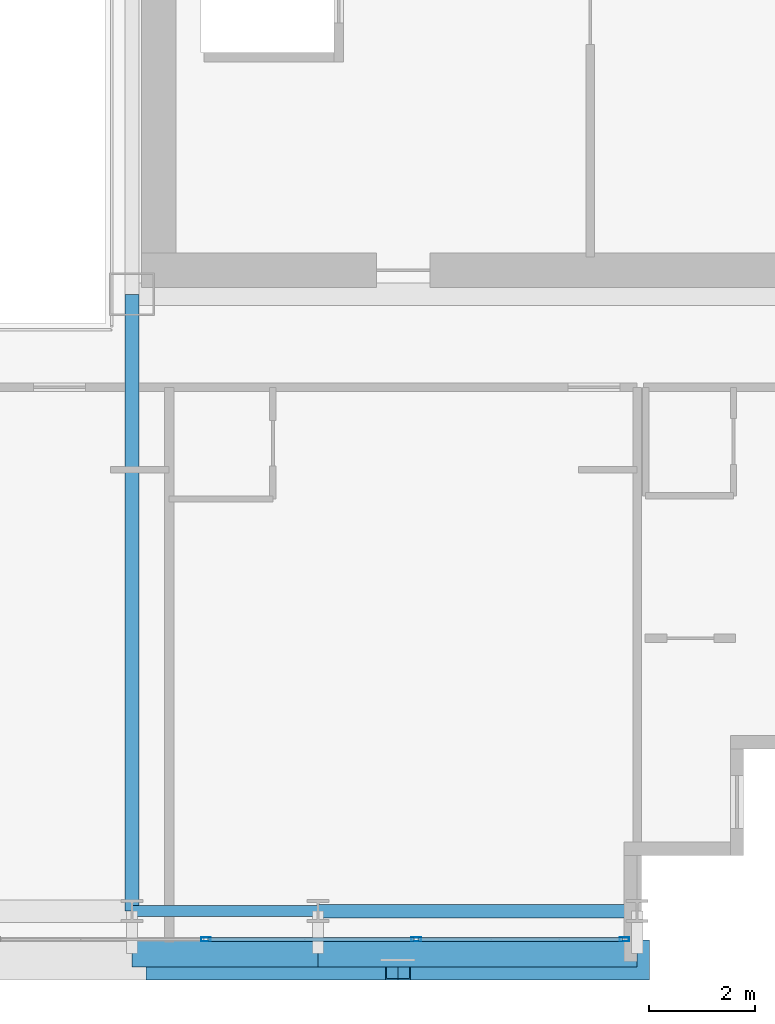
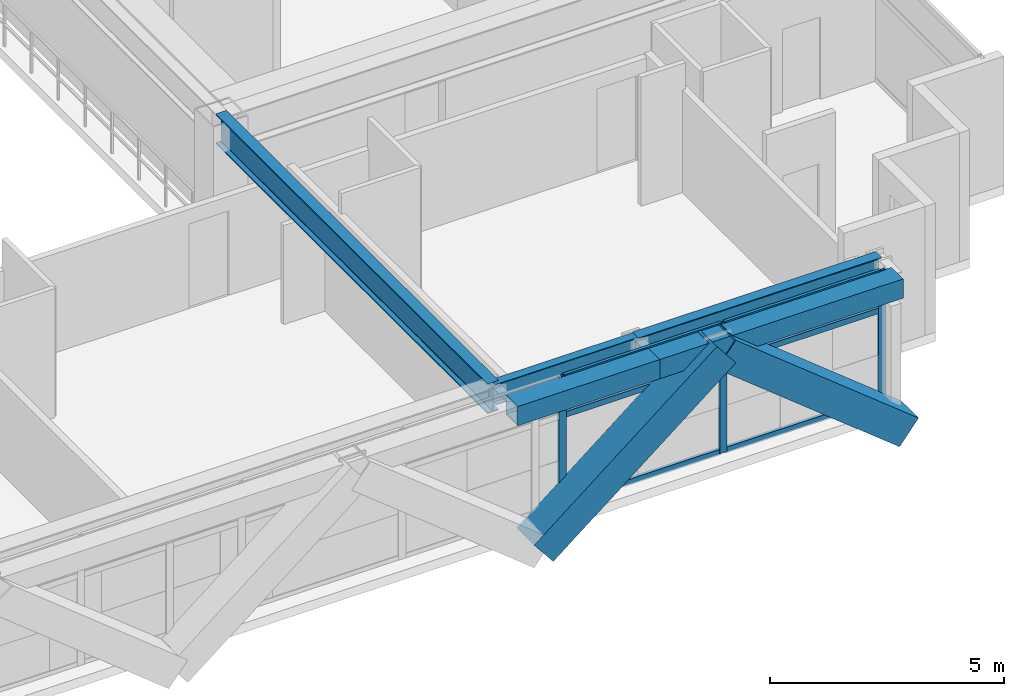
# One storey, part 10 of 34: 11 members, 5 beams, 1 element without a shape of its own.
"""IFC4 building model written with IfcOpenShell, lengths in metres."""

from ifc_helpers import new_model, si_unit, direction, frame, origin, origin_2d, place, context, subcontext, project, spatial, hollow_rectangle, i_section, extrude, source, transform, mapped, material, layer, layer_set, material_profile, profile_set, type_object, element, aggregate, save


model = new_model("IFC4")

# Units and contexts
model_context = context("Model", 3, precision=1e-05, world=origin(), true_north=direction((0.0, 1.0)))
body_context = subcontext(model_context, "Body", "Model", "MODEL_VIEW")
ifc_project = project(units=[si_unit("LENGTHUNIT", "METRE"), si_unit("AREAUNIT", "SQUARE_METRE"), si_unit("VOLUMEUNIT", "CUBIC_METRE"), si_unit("PLANEANGLEUNIT", "RADIAN"), si_unit("MASSUNIT", "GRAM", prefix="KILO")], contexts=[model_context])

# Site, building, storey
site_placement = place(None, origin())
site = spatial("IfcSite", under=ifc_project, at=site_placement, CompositionType="ELEMENT")
building_placement = place(site_placement, origin())
building = spatial("IfcBuilding", under=site, at=building_placement, Name="Ocotamira Hotel", CompositionType="ELEMENT")
storey_placement = place(building_placement, frame((0.0, 0.0, 111.60009765625)))
storey = spatial("IfcBuildingStorey", under=building, at=storey_placement, Name="L27", CompositionType="ELEMENT", Elevation=111.60009765625)

# Beams
ifc_material_1 = material(Name="Steel ASTM A992 Grade 50", Category="steel")
ifc_material_profile_1 = material_profile(ifc_material_1, i_section(OverallWidth=0.256103515625, OverallDepth=0.693115234375, WebThickness=0.014404296875, FlangeThickness=0.023681640625, FilletRadius=0.01611328125, at=origin_2d()), Name="W27X114")
ifc_profile_set_1 = profile_set([ifc_material_profile_1], Name="Steel ASTM A992 Grade 50")
beam_type_1 = type_object("IfcBeamType", Name="BM-PRIM-W27X114", PredefinedType="BEAM", material=ifc_profile_set_1)
shared_shape_1 = source(origin(), body_context, "Body", "SweptSolid", [
    extrude(i_section(OverallWidth=0.256103515625, OverallDepth=0.693115234375, WebThickness=0.014404296875, FlangeThickness=0.023681640625, FilletRadius=0.01611328125, at=origin_2d()), origin(), (0.0, 0.0, 1.0), 6.0),
])
beam_1_placement = place(storey_placement, frame((44.0, 2.949951171875, 3.013427734375), z_axis=(1.0, 0.0, 0.0), x_axis=(0.0, 1.0, 0.0)))
element("IfcBeam", 1, at=beam_1_placement, inside=storey, type_object=beam_type_1, Name="L27 Girder Y2.95 X44-50", PredefinedType="BEAM", context=body_context, shape_type="MappedRepresentation", body=[
    mapped(shared_shape_1, transform((0.0, 0.0, 0.0), scale=1.0)),
])
ifc_material_profile_2 = material_profile(ifc_material_1, i_section(OverallWidth=0.2099609375, OverallDepth=0.537109375, WebThickness=0.010986328125, FlangeThickness=0.017333984375, FilletRadius=0.012939453125, at=origin_2d()), Name="W21X68")
ifc_profile_set_2 = profile_set([ifc_material_profile_2], Name="Steel ASTM A992 Grade 50")
beam_type_2 = type_object("IfcBeamType", Name="BM-SEC-W21X68", PredefinedType="JOIST", material=ifc_profile_set_2)
shared_shape_2 = source(origin(), body_context, "Body", "SweptSolid", [
    extrude(i_section(OverallWidth=0.2099609375, OverallDepth=0.537109375, WebThickness=0.010986328125, FlangeThickness=0.017333984375, FilletRadius=0.012939453125, at=origin_2d()), origin(), (0.0, 0.0, 1.0), 3.5),
])
beam_2_placement = place(storey_placement, frame((40.5, 2.949951171875, 3.09130859375), z_axis=(1.0, 0.0, 0.0), x_axis=(0.0, 1.0, 0.0)))
element("IfcBeam", 2, at=beam_2_placement, inside=storey, type_object=beam_type_2, Name="L27 Girder Y2.95 X40.5-44", PredefinedType="JOIST", context=body_context, shape_type="MappedRepresentation", body=[
    mapped(shared_shape_2, transform((0.0, 0.0, 0.0), scale=1.0)),
])
ifc_material_profile_3 = material_profile(ifc_material_1, i_section(OverallWidth=0.26611328125, OverallDepth=0.779052734375, WebThickness=0.0166015625, FlangeThickness=0.030029296875, FilletRadius=0.01806640625, at=origin_2d()), Name="W30X148")
ifc_profile_set_3 = profile_set([ifc_material_profile_3], Name="Steel ASTM A992 Grade 50")
beam_type_3 = type_object("IfcBeamType", Name="BM-GIRD-W30X148", PredefinedType="BEAM", material=ifc_profile_set_3)
shared_shape_3 = source(origin(), body_context, "Body", "SweptSolid", [
    extrude(i_section(OverallWidth=0.26611328125, OverallDepth=0.779052734375, WebThickness=0.0166015625, FlangeThickness=0.030029296875, FilletRadius=0.01806640625, at=origin_2d()), origin(), (0.0, 0.0, 1.0), 11.60009765625),
])
beam_3_placement = place(storey_placement, frame((40.5, 2.949951171875, 2.970458984375), z_axis=(0.0, 1.0, 0.0), x_axis=(-1.0, 0.0, 0.0)))
element("IfcBeam", 3, at=beam_3_placement, inside=storey, type_object=beam_type_3, Name="L27 Beam X40.5 Y2.95-14.55", PredefinedType="BEAM", context=body_context, shape_type="MappedRepresentation", body=[
    mapped(shared_shape_3, transform((0.0, 0.0, 0.0), scale=1.0)),
])
ifc_material_2 = material(Name="Steel ASTM A500 Grade C", Category="steel")
ifc_material_profile_4 = material_profile(ifc_material_2, hollow_rectangle(XDim=0.5, YDim=0.5, WallThickness=0.02001953125, at=origin_2d()), Name="HSS500X500X20")
ifc_profile_set_4 = profile_set([ifc_material_profile_4], Name="Steel ASTM A500 Grade C")
beam_type_4 = type_object("IfcBeamType", Name="BM-SPAN-HSS500", PredefinedType="USERDEFINED", material=ifc_profile_set_4)
shared_shape_4 = source(origin(), body_context, "Body", "SweptSolid", [
    extrude(hollow_rectangle(XDim=0.5, YDim=0.5, WallThickness=0.02001953125, at=origin_2d()), origin(), (0.0, 0.0, 1.0), 6.0),
])
beam_4_placement = place(storey_placement, frame((44.0, 2.14990234375, 3.10986328125), z_axis=(1.0, 0.0, 0.0), x_axis=(0.0, 1.0, 0.0)))
element("IfcBeam", 4, at=beam_4_placement, inside=storey, type_object=beam_type_4, Name="L27 Edge Spandrel S X44-50", ObjectType="SPANDREL", PredefinedType="USERDEFINED", context=body_context, shape_type="MappedRepresentation", body=[
    mapped(shared_shape_4, transform((0.0, 0.0, 0.0), scale=1.0)),
])
shared_shape_5 = source(origin(), body_context, "Body", "SweptSolid", [
    extrude(hollow_rectangle(XDim=0.5, YDim=0.5, WallThickness=0.02001953125, at=origin_2d()), origin(), (0.0, 0.0, 1.0), 3.5),
])
beam_5_placement = place(storey_placement, frame((40.5, 2.14990234375, 3.10986328125), z_axis=(1.0, 0.0, 0.0), x_axis=(0.0, 1.0, 0.0)))
element("IfcBeam", 5, at=beam_5_placement, inside=storey, type_object=beam_type_4, Name="L27 Edge Spandrel S X40.5-44", ObjectType="SPANDREL", PredefinedType="USERDEFINED", context=body_context, shape_type="MappedRepresentation", body=[
    mapped(shared_shape_5, transform((0.0, 0.0, 0.0), scale=1.0)),
])

# Members
ifc_material_3 = material(Name="Pale-metal coated steel ASTM A913 Grade 65", Category="steel")
ifc_material_profile_5 = material_profile(ifc_material_3, hollow_rectangle(XDim=0.75, YDim=0.75, WallThickness=0.028076171875, at=origin_2d()), Name="BOX750X750X28")
ifc_profile_set_5 = profile_set([ifc_material_profile_5], Name="Pale-metal coated steel ASTM A913 Grade 65")
member_type_1 = type_object("IfcMemberType", Name="MEM-EXO-BOX750", PredefinedType="BRACE", material=ifc_profile_set_5)
shared_shape_6 = source(origin(), body_context, "Body", "SweptSolid", [
    extrude(hollow_rectangle(XDim=0.75, YDim=0.75, WallThickness=0.028076171875, at=origin_2d()), origin(), (0.0, 0.0, 1.0), 5.7626953125),
])
for number, where, z_axis, x_axis, name in (
    (6, (41.0, 2.030029296875, -0.489990234375), (0.780881208953, 0.0, 0.624679547852), (0.0, 1.0, 0.0), "L27 Exoskeleton Diagrid S3.1"),
    (7, (50.0, 2.030029296875, -0.489990234375), (-0.780881208953, 0.0, 0.624679547852), (0.0, -1.0, 0.0), "L27 Exoskeleton Diagrid S3.2"),
):
    element("IfcMember", number, at=place(storey_placement, frame(where, z_axis=z_axis, x_axis=x_axis)), inside=storey, type_object=member_type_1, Name=name, PredefinedType="BRACE", context=body_context, shape_type="MappedRepresentation", body=[
        mapped(shared_shape_6, transform((0.0, 0.0, 0.0), scale=1.0)),
    ])

# Curtain wall, members
ifc_material_4 = material(Name="Anodised pale-metal aluminium and solar glass", Category="aluminium")
ifc_layer = layer(ifc_material_4, 0.179931640625)
ifc_layer_set = layer_set([ifc_layer], Name="Anodised pale-metal aluminium and solar glass")
curtain_wall_type = type_object("IfcCurtainWallType", Name="CW-SYS3-Z2", PredefinedType="NOTDEFINED", material=ifc_layer_set)
curtain_wall_placement = place(storey_placement, origin())
curtain_wall = element("IfcCurtainWall", 8, at=curtain_wall_placement, inside=storey, type_object=curtain_wall_type, Name="L27 Curtain Wall CW-3 CW-L27-S1", PredefinedType="NOTDEFINED")
ifc_material_5 = material(Name="Anodised pale-metal aluminium 6063-T6", Category="aluminium")
ifc_material_profile_6 = material_profile(ifc_material_5, hollow_rectangle(XDim=0.074951171875, YDim=0.14990234375, WallThickness=0.006103515625, at=origin_2d()), Name="HSS150X75X6")
ifc_profile_set_6 = profile_set([ifc_material_profile_6], Name="Anodised pale-metal aluminium 6063-T6")
member_type_2 = type_object("IfcMemberType", Name="CWT-150X75", PredefinedType="USERDEFINED", material=ifc_profile_set_6)
shared_shape_7 = source(origin(), body_context, "Body", "SweptSolid", [
    extrude(hollow_rectangle(XDim=0.074951171875, YDim=0.14990234375, WallThickness=0.006103515625, at=origin_2d()), origin(), (0.0, 0.0, 1.0), 3.83544921875),
])
member_1_placement = place(storey_placement, frame((45.884521484375, 2.419921875, 0.037353515625), z_axis=(1.0, 0.0, 0.0), x_axis=(0.0, 1.0, 0.0)))
member_1 = element("IfcMember", 9, at=member_1_placement, type_object=member_type_2, Name="CW-3 transom 9.1", ObjectType="TRANSOM", PredefinedType="USERDEFINED", context=body_context, shape_type="MappedRepresentation", body=[
    mapped(shared_shape_7, transform((0.0, 0.0, 0.0), scale=1.0)),
])
member_2_placement = place(storey_placement, frame((45.884521484375, 2.419921875, 2.349853515625), z_axis=(1.0, 0.0, 0.0), x_axis=(0.0, 1.0, 0.0)))
member_2 = element("IfcMember", 10, at=member_2_placement, type_object=member_type_2, Name="CW-3 transom 9.2", ObjectType="TRANSOM", PredefinedType="USERDEFINED", context=body_context, shape_type="MappedRepresentation", body=[
    mapped(shared_shape_7, transform((0.0, 0.0, 0.0), scale=1.0)),
])
member_3_placement = place(storey_placement, frame((45.884521484375, 2.419921875, 3.322509765625), z_axis=(1.0, 0.0, 0.0), x_axis=(0.0, 1.0, 0.0)))
member_3 = element("IfcMember", 11, at=member_3_placement, type_object=member_type_2, Name="CW-3 transom 9.3", ObjectType="TRANSOM", PredefinedType="USERDEFINED", context=body_context, shape_type="MappedRepresentation", body=[
    mapped(shared_shape_7, transform((0.0, 0.0, 0.0), scale=1.0)),
])
shared_shape_8 = source(origin(), body_context, "Body", "SweptSolid", [
    extrude(hollow_rectangle(XDim=0.074951171875, YDim=0.14990234375, WallThickness=0.006103515625, at=origin_2d()), origin(), (0.0, 0.0, 1.0), 3.87548828125),
])
member_4_placement = place(storey_placement, frame((41.928955078125, 2.419921875, 0.037353515625), z_axis=(1.0, 0.0, 0.0), x_axis=(0.0, 1.0, 0.0)))
member_4 = element("IfcMember", 12, at=member_4_placement, type_object=member_type_2, Name="CW-3 transom 8.1", ObjectType="TRANSOM", PredefinedType="USERDEFINED", context=body_context, shape_type="MappedRepresentation", body=[
    mapped(shared_shape_8, transform((0.0, 0.0, 0.0), scale=1.0)),
])
member_5_placement = place(storey_placement, frame((41.928955078125, 2.419921875, 2.349853515625), z_axis=(1.0, 0.0, 0.0), x_axis=(0.0, 1.0, 0.0)))
member_5 = element("IfcMember", 13, at=member_5_placement, type_object=member_type_2, Name="CW-3 transom 8.2", ObjectType="TRANSOM", PredefinedType="USERDEFINED", context=body_context, shape_type="MappedRepresentation", body=[
    mapped(shared_shape_8, transform((0.0, 0.0, 0.0), scale=1.0)),
])
member_6_placement = place(storey_placement, frame((41.928955078125, 2.419921875, 3.322509765625), z_axis=(1.0, 0.0, 0.0), x_axis=(0.0, 1.0, 0.0)))
member_6 = element("IfcMember", 14, at=member_6_placement, type_object=member_type_2, Name="CW-3 transom 8.3", ObjectType="TRANSOM", PredefinedType="USERDEFINED", context=body_context, shape_type="MappedRepresentation", body=[
    mapped(shared_shape_8, transform((0.0, 0.0, 0.0), scale=1.0)),
])
ifc_material_profile_7 = material_profile(ifc_material_5, hollow_rectangle(XDim=0.080078125, YDim=0.179931640625, WallThickness=0.006103515625, at=origin_2d()), Name="HSS180X80X6")
ifc_profile_set_7 = profile_set([ifc_material_profile_7], Name="Anodised pale-metal aluminium 6063-T6")
member_type_3 = type_object("IfcMemberType", Name="CWM-180X75", PredefinedType="MULLION", material=ifc_profile_set_7)
shared_shape_9 = source(origin(), body_context, "Body", "SweptSolid", [
    extrude(hollow_rectangle(XDim=0.080078125, YDim=0.179931640625, WallThickness=0.006103515625, at=origin_2d()), origin(), (0.0, 0.0, 1.0), 3.35986328125),
])
member_7_placement = place(storey_placement, frame((41.888916015625, 2.419921875, 0.0), z_axis=(0.0, 0.0, 1.0), x_axis=(0.0, 1.0, 0.0)))
member_7 = element("IfcMember", 15, at=member_7_placement, type_object=member_type_3, Name="CW-3 mullion 8", PredefinedType="MULLION", context=body_context, shape_type="MappedRepresentation", body=[
    mapped(shared_shape_9, transform((0.0, 0.0, 0.0), scale=1.0)),
])
member_8_placement = place(storey_placement, frame((45.844482421875, 2.419921875, 0.0), z_axis=(0.0, 0.0, 1.0), x_axis=(0.0, 1.0, 0.0)))
member_8 = element("IfcMember", 16, at=member_8_placement, type_object=member_type_3, Name="CW-3 mullion 9", PredefinedType="MULLION", context=body_context, shape_type="MappedRepresentation", body=[
    mapped(shared_shape_9, transform((0.0, 0.0, 0.0), scale=1.0)),
])
member_9_placement = place(storey_placement, frame((49.760009765625, 2.419921875, 0.0), z_axis=(0.0, 0.0, 1.0), x_axis=(0.0, 1.0, 0.0)))
member_9 = element("IfcMember", 17, at=member_9_placement, type_object=member_type_3, Name="CW-3 mullion 10", PredefinedType="MULLION", context=body_context, shape_type="MappedRepresentation", body=[
    mapped(shared_shape_9, transform((0.0, 0.0, 0.0), scale=1.0)),
])
aggregate(curtain_wall, [member_7, member_8, member_9, member_4, member_5, member_6, member_1, member_2, member_3])

save(model, "model.ifc")
